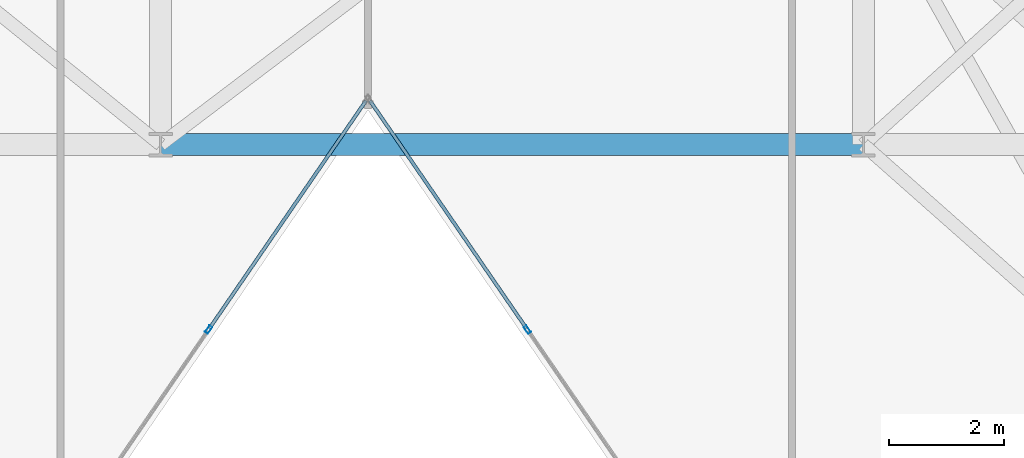
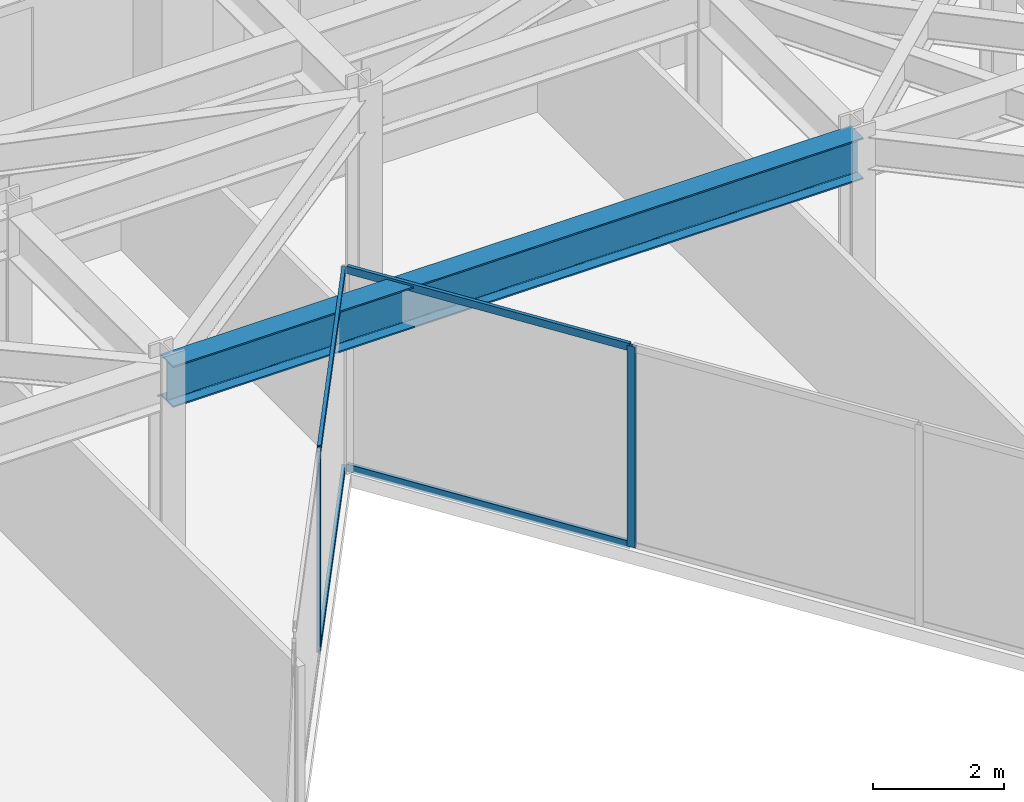
# One storey, part 8 of 27: 6 members, 1 beam, 2 elements without a shape of their own.
"""IFC4 building model written with IfcOpenShell, lengths in metres."""

from ifc_helpers import new_model, si_unit, direction, frame, origin, origin_2d, place, context, subcontext, project, spatial, hollow_rectangle, i_section, extrude, material, layer, layer_set, material_profile, profile_set, type_object, element, aggregate, save


model = new_model("IFC4")

# Units and contexts
model_context = context("Model", 3, precision=1e-05, world=origin(), true_north=direction((0.0, 1.0)))
body_context = subcontext(model_context, "Body", "Model", "MODEL_VIEW")
ifc_project = project(units=[si_unit("LENGTHUNIT", "METRE"), si_unit("AREAUNIT", "SQUARE_METRE"), si_unit("VOLUMEUNIT", "CUBIC_METRE"), si_unit("PLANEANGLEUNIT", "RADIAN"), si_unit("MASSUNIT", "GRAM", prefix="KILO")], contexts=[model_context])

# Site, building, storey
site_placement = place(None, origin())
site = spatial("IfcSite", under=ifc_project, at=site_placement, CompositionType="ELEMENT")
building_placement = place(site_placement, origin())
building = spatial("IfcBuilding", under=site, at=building_placement, Name="Kravanh Interchange Tower", CompositionType="ELEMENT")
storey_placement = place(building_placement, frame((0.0, 0.0, 188.5)))
storey = spatial("IfcBuildingStorey", under=building, at=storey_placement, Name="L45", CompositionType="ELEMENT", Elevation=188.5)

# Curtain wall, member
ifc_material_1 = material(Name="Anodised Bronze Aluminium", Category="aluminium")
ifc_layer = layer(ifc_material_1, 0.179931640625)
ifc_layer_set = layer_set([ifc_layer], Name="Unitised Curtain Wall System CW-Z3 Upper Office")
curtain_wall_type = type_object("IfcCurtainWallType", Name="Unitised Curtain Wall System CW-Z3 Upper Office", PredefinedType="NOTDEFINED", material=ifc_layer_set)
curtain_wall_1_placement = place(storey_placement, origin())
curtain_wall_1 = element("IfcCurtainWall", 1, at=curtain_wall_1_placement, inside=storey, type_object=curtain_wall_type, Name="L45 Unitised Curtain Wall CW-L45-04", PredefinedType="NOTDEFINED")
ifc_material_2 = material(Name="Anodised Bronze Aluminium", Category="aluminium")
ifc_material_profile_1 = material_profile(ifc_material_2, hollow_rectangle(XDim=0.06005859375, YDim=0.139892578125, WallThickness=0.00390625, at=origin_2d()), Name="ALU60X140X4")
ifc_profile_set_1 = profile_set([ifc_material_profile_1], Name="Anodised Bronze Aluminium")
member_type_1 = type_object("IfcMemberType", Name="Curtain Wall Mullion ALU60X140X4 Bronze", PredefinedType="MULLION", material=ifc_profile_set_1)
member_1_placement = place(storey_placement, frame((44.9658203125, 23.5888671875, 0.0), z_axis=(0.0, 0.0, 1.0), x_axis=(-0.824042223035, -0.566528388217, 0.0)))
member_1 = element("IfcMember", 2, at=member_1_placement, type_object=member_type_1, Name="CW-Z3 mullion 4", PredefinedType="MULLION", context=body_context, shape_type="SweptSolid", body=[
    extrude(hollow_rectangle(XDim=0.06005859375, YDim=0.139892578125, WallThickness=0.00390625, at=origin_2d()), origin(), (0.0, 0.0, 1.0), 3.7548828125),
])

curtain_wall_2_placement = place(storey_placement, origin())
curtain_wall_2 = element("IfcCurtainWall", 3, at=curtain_wall_2_placement, inside=storey, type_object=curtain_wall_type, Name="L45 Unitised Curtain Wall CW-L45-05", PredefinedType="NOTDEFINED")
member_2_placement = place(storey_placement, frame((39.434326171875, 23.5888671875, 0.0), z_axis=(0.0, 0.0, 1.0), x_axis=(0.824042223035, -0.566528388217, 0.0)))
member_2 = element("IfcMember", 4, at=member_2_placement, type_object=member_type_1, Name="CW-Z3 mullion 2", PredefinedType="MULLION", context=body_context, shape_type="SweptSolid", body=[
    extrude(hollow_rectangle(XDim=0.06005859375, YDim=0.139892578125, WallThickness=0.00390625, at=origin_2d()), origin(), (0.0, 0.0, 1.0), 3.7548828125),
])

# Member
ifc_material_3 = material(Name="Anodised Bronze Aluminium", Category="aluminium")
ifc_material_profile_2 = material_profile(ifc_material_3, hollow_rectangle(XDim=0.06005859375, YDim=0.139892578125, WallThickness=0.00390625, at=origin_2d()), Name="ALU60X140X4")
ifc_profile_set_2 = profile_set([ifc_material_profile_2], Name="Anodised Bronze Aluminium")
member_type_2 = type_object("IfcMemberType", Name="Curtain Wall Transom ALU60X140X4 Bronze", PredefinedType="USERDEFINED", material=ifc_profile_set_2)
member_3_placement = place(storey_placement, frame((44.94873046875, 23.613525390625, 0.030029296875), z_axis=(-0.566541796314, 0.824033004818, 0.0), x_axis=(-0.824033004818, -0.566541796314, 0.0)))
member_3 = element("IfcMember", 5, at=member_3_placement, type_object=member_type_2, Name="CW-Z3 transom 4.1", ObjectType="TRANSOM", PredefinedType="USERDEFINED", context=body_context, shape_type="SweptSolid", body=[
    extrude(hollow_rectangle(XDim=0.06005859375, YDim=0.139892578125, WallThickness=0.00390625, at=origin_2d()), origin(), (0.0, 0.0, 1.0), 4.7919921875),
])

member_4_placement = place(storey_placement, frame((44.94873046875, 23.613525390625, 3.72509765625), z_axis=(-0.566541796314, 0.824033004818, 0.0), x_axis=(-0.824033004818, -0.566541796314, 0.0)))
member_4 = element("IfcMember", 6, at=member_4_placement, type_object=member_type_2, Name="CW-Z3 transom 4.2", ObjectType="TRANSOM", PredefinedType="USERDEFINED", context=body_context, shape_type="SweptSolid", body=[
    extrude(hollow_rectangle(XDim=0.06005859375, YDim=0.139892578125, WallThickness=0.00390625, at=origin_2d()), origin(), (0.0, 0.0, 1.0), 4.7919921875),
])

aggregate(curtain_wall_1, [member_1, member_3, member_4])

member_5_placement = place(storey_placement, frame((42.166015625, 27.562255859375, 0.030029296875), z_axis=(-0.566541796314, -0.824033004818, 0.0), x_axis=(0.824033004818, -0.566541796314, 0.0)))
member_5 = element("IfcMember", 7, at=member_5_placement, type_object=member_type_2, Name="CW-Z3 transom 1.1", ObjectType="TRANSOM", PredefinedType="USERDEFINED", context=body_context, shape_type="SweptSolid", body=[
    extrude(hollow_rectangle(XDim=0.06005859375, YDim=0.139892578125, WallThickness=0.00390625, at=origin_2d()), origin(), (0.0, 0.0, 1.0), 4.7919921875),
])

member_6_placement = place(storey_placement, frame((42.166015625, 27.562255859375, 3.72509765625), z_axis=(-0.566541796314, -0.824033004818, 0.0), x_axis=(0.824033004818, -0.566541796314, 0.0)))
member_6 = element("IfcMember", 8, at=member_6_placement, type_object=member_type_2, Name="CW-Z3 transom 1.2", ObjectType="TRANSOM", PredefinedType="USERDEFINED", context=body_context, shape_type="SweptSolid", body=[
    extrude(hollow_rectangle(XDim=0.06005859375, YDim=0.139892578125, WallThickness=0.00390625, at=origin_2d()), origin(), (0.0, 0.0, 1.0), 4.7919921875),
])

aggregate(curtain_wall_2, [member_2, member_5, member_6])

# Beam
ifc_material_4 = material(Name="Structural Steel S355", Category="steel")
ifc_material_profile_3 = material_profile(ifc_material_4, i_section(OverallWidth=0.381103515625, OverallDepth=0.77294921875, WebThickness=0.0166015625, FlangeThickness=0.027099609375, FilletRadius=0.02490234375, at=origin_2d()), Name="W30X173")
ifc_profile_set_3 = profile_set([ifc_material_profile_3], Name="Structural Steel S355")
beam_type = type_object("IfcBeamType", Name="Floor Beam W30X173 Structural Steel S355", PredefinedType="BEAM", material=ifc_profile_set_3)
beam_placement = place(storey_placement, frame((38.60009765625, 26.800048828125, 3.368408203125), z_axis=(1.0, 0.0, 0.0), x_axis=(0.0, 1.0, 0.0)))
element("IfcBeam", 9, at=beam_placement, inside=storey, type_object=beam_type, Name="L45 Primary Floor Girder 48", PredefinedType="BEAM", context=body_context, shape_type="SweptSolid", body=[
    extrude(i_section(OverallWidth=0.381103515625, OverallDepth=0.77294921875, WebThickness=0.0166015625, FlangeThickness=0.027099609375, FilletRadius=0.02490234375, at=origin_2d()), origin(), (0.0, 0.0, 1.0), 12.199951171875),
])

save(model, "model.ifc")
